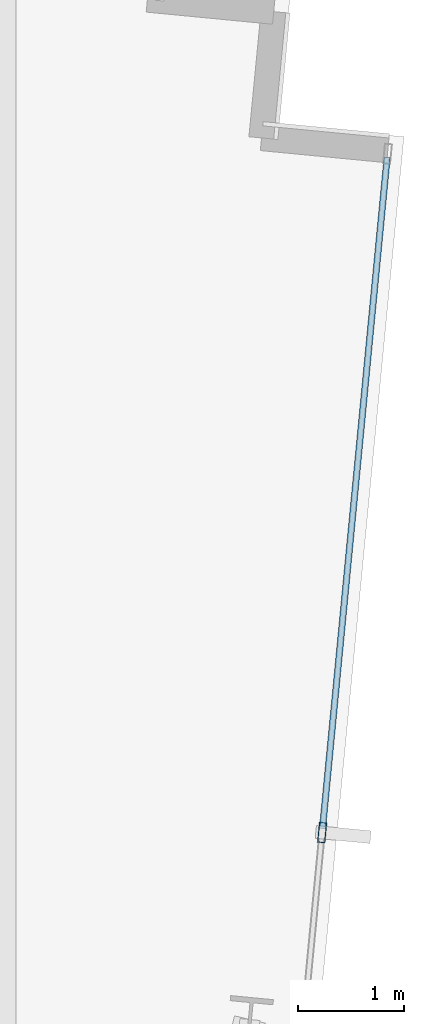
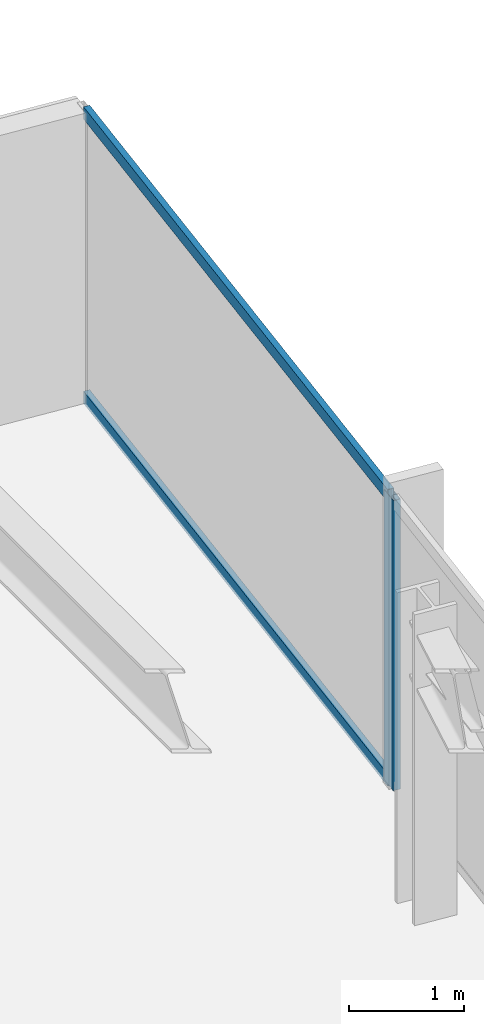
# One storey, part 20 of 38: 3 members, 1 element without a shape of its own.
"""IFC4 building model written with IfcOpenShell, lengths in metres."""

import ifcopenshell
import ifcopenshell.guid

model = None  # the IFC model being written
_history = None  # IfcOwnerHistory: only IFC2X3 demands one
_inside = {}  # id of a spatial element -> (the spatial element, [elements in it])
_under = {}  # id of a project, library or spatial element -> (it, [spatial elements below it])
_declared = {}  # id of a project -> (the project, [libraries it declares])
_typed = {}  # id of a type object -> (the type object, [elements of that type])
_made_of = {}  # id of a material, layer set ... -> (it, [elements and type objects made of it])


def new_model(schema):
    """Start an empty IFC model of exactly this schema.

    Asked for "IFC4X3", IfcOpenShell would pick the latest addendum, in which some entities
    have other attributes; the version numbers below select the first issue.
    IFC2X3 requires an IfcOwnerHistory on every rooted entity: one is made here for all.
    """
    global model, _history
    if schema == "IFC4X3":
        model = ifcopenshell.file(schema_version=(4, 3, 0, 0))
    else:
        model = ifcopenshell.file(schema=schema)
    _inside.clear()
    _under.clear()
    _declared.clear()
    _typed.clear()
    _made_of.clear()
    _history = None
    if model.schema == "IFC2X3":
        org = make("IfcOrganization", Name="unknown")
        user = make(
            "IfcPersonAndOrganization",
            ThePerson=make("IfcPerson", FamilyName="unknown"),
            TheOrganization=org,
        )
        app = make(
            "IfcApplication",
            ApplicationDeveloper=org,
            Version="unknown",
            ApplicationFullName="unknown",
            ApplicationIdentifier="unknown",
        )
        _history = make(
            "IfcOwnerHistory",
            OwningUser=user,
            OwningApplication=app,
            ChangeAction="ADDED",
            CreationDate=0,
        )
    return model


def make(cls, **values):
    """One entity of the class cls with the attributes given. An attribute that is None is left unset."""
    return model.create_entity(
        cls, **{name: value for name, value in values.items() if value is not None}
    )


def rooted(cls, **values):
    """An entity with a GlobalId (a new one), such as an element, a storey or a relation."""
    return make(cls, GlobalId=ifcopenshell.guid.new(), OwnerHistory=_history, **values)


def si_unit(unit_type, name, prefix=None):
    """IfcSIUnit, for example si_unit("LENGTHUNIT", "METRE", prefix="MILLI")."""
    return make("IfcSIUnit", UnitType=unit_type, Prefix=prefix, Name=name)


def assignment(units):
    """IfcUnitAssignment: the units of a project."""
    return None if units is None else make("IfcUnitAssignment", Units=units)


def point(xyz):
    """IfcCartesianPoint."""
    return None if xyz is None else make("IfcCartesianPoint", Coordinates=xyz)


def direction(xyz):
    """IfcDirection."""
    return None if xyz is None else make("IfcDirection", DirectionRatios=xyz)


def frame(location, z_axis=None, x_axis=None):
    """IfcAxis2Placement3D, a coordinate frame: its origin and axes. An axis left out is left unset."""
    return make(
        "IfcAxis2Placement3D",
        Location=point(location),
        Axis=direction(z_axis),
        RefDirection=direction(x_axis),
    )


def frame_2d(location, x_axis=None):
    """IfcAxis2Placement2D, a coordinate frame in the plane: its origin and x axis."""
    return make(
        "IfcAxis2Placement2D", Location=point(location), RefDirection=direction(x_axis)
    )


def origin():
    """The frame at (0, 0, 0) with its axes left unset."""
    return frame((0.0, 0.0, 0.0))


def origin_2d():
    """The frame at (0, 0) in the plane with its x axis left unset."""
    return frame_2d((0.0, 0.0))


def place(relative_to, where):
    """IfcLocalPlacement: puts the frame where relative to a parent placement (None: the world)."""
    return make(
        "IfcLocalPlacement", PlacementRelTo=relative_to, RelativePlacement=where
    )


def context(
    kind, dimensions, precision=None, world=None, true_north=None, identifier=None
):
    """IfcGeometricRepresentationContext, for example the 3D "Model" context."""
    return make(
        "IfcGeometricRepresentationContext",
        ContextIdentifier=identifier,
        ContextType=kind,
        CoordinateSpaceDimension=dimensions,
        Precision=precision,
        WorldCoordinateSystem=world,
        TrueNorth=true_north,
    )


def subcontext(parent, identifier, kind, view, scale=None):
    """IfcGeometricRepresentationSubContext, for example "Body" below "Model"."""
    return make(
        "IfcGeometricRepresentationSubContext",
        ContextIdentifier=identifier,
        ContextType=kind,
        ParentContext=parent,
        TargetScale=scale,
        TargetView=view,
    )


def project(units=None, contexts=None):
    """IfcProject with its units and contexts."""
    return rooted(
        "IfcProject",
        Name="project",
        RepresentationContexts=contexts,
        UnitsInContext=assignment(units),
    )


def spatial(cls, under=None, at=None, **own):
    """A site, building, storey or space (cls), placed at a placement, below another one or the project."""
    s = rooted(cls, ObjectPlacement=at, **own)
    if under is not None:
        _under.setdefault(under.id(), (under, []))[1].append(s)
    return s


def profile(cls, at=None, kind="AREA", **sizes):
    """A parametric profile (cls). Its sizes go by their IFC names, for example OverallWidth=200.0."""
    return make(cls, ProfileType=kind, Position=at, **sizes)


def hollow_rectangle(**sizes):
    """IfcRectangleHollowProfileDef."""
    return profile("IfcRectangleHollowProfileDef", **sizes)


def extrude(swept, where, along, depth):
    """IfcExtrudedAreaSolid: the profile swept, set in the frame where, extruded along a direction by depth."""
    return make(
        "IfcExtrudedAreaSolid",
        SweptArea=swept,
        Position=where,
        ExtrudedDirection=direction(along),
        Depth=depth,
    )


def shape(context_of_items, identifier, shape_type, items):
    """IfcShapeRepresentation: the items that make up one representation, for example the "Body"."""
    return make(
        "IfcShapeRepresentation",
        ContextOfItems=context_of_items,
        RepresentationIdentifier=identifier,
        RepresentationType=shape_type,
        Items=items,
    )


def material(Name=None, Category=None):
    """IfcMaterial."""
    return make("IfcMaterial", Name=Name, Category=Category)


def material_profile(
    of_material, cross_section, Name=None, Category=None, Priority=None
):
    """IfcMaterialProfile: a cross section and its material."""
    return make(
        "IfcMaterialProfile",
        Name=Name,
        Material=of_material,
        Profile=cross_section,
        Priority=Priority,
        Category=Category,
    )


def profile_set(profiles, Name=None, composite=None):
    """IfcMaterialProfileSet."""
    return make(
        "IfcMaterialProfileSet",
        Name=Name,
        MaterialProfiles=profiles,
        CompositeProfile=composite,
    )


def made_of(thing, what):
    """Note that an element or type object is made of a material, layer set ...; save() writes the relation."""
    if what is not None:
        _made_of.setdefault(what.id(), (what, []))[1].append(thing)
    return thing


def type_object(cls, material=None, **own):
    """A type object (cls), such as IfcWallType, which elements share."""
    return made_of(rooted(cls, **own), material)


def element(
    cls,
    number,
    at=None,
    inside=None,
    cuts=None,
    type_object=None,
    material=None,
    context=None,
    identifier="Body",
    shape_type=None,
    held_by="IfcProductDefinitionShape",
    body=None,
    shapes=None,
    **own,
):
    """One element of the class cls, such as IfcWall. Its Tag is "e" and its number.

    at: its placement. inside: the storey or other place that contains it. cuts: it is an
    opening in that element (IfcRelVoidsElement). A single representation is given by context,
    identifier, shape_type and body (its items); several are given by shapes. held_by: the class
    of the entity that holds the representations. save() writes the other relations.
    """
    e = rooted(cls, Tag="e%d" % number, ObjectPlacement=at, **own)
    if body is not None:
        shapes = [shape(context, identifier, shape_type, body)]
    if shapes is not None:
        e.Representation = make(held_by, Representations=shapes)
    if inside is not None:
        _inside.setdefault(inside.id(), (inside, []))[1].append(e)
    if cuts is not None:
        rooted(
            "IfcRelVoidsElement", RelatingBuildingElement=cuts, RelatedOpeningElement=e
        )
    if type_object is not None:
        _typed.setdefault(type_object.id(), (type_object, []))[1].append(e)
    return made_of(e, material)


def aggregate(whole, parts):
    """IfcRelAggregates: a whole, such as a stair, and the parts it consists of."""
    return rooted("IfcRelAggregates", RelatingObject=whole, RelatedObjects=parts)


def save(model, path):
    """Write the relations noted so far, then the file.

    IfcRelAggregates (storeys below a building ...), IfcRelContainedInSpatialStructure (elements
    in a storey), IfcRelDefinesByType, IfcRelAssociatesMaterial and IfcRelDeclares: one each for
    every whole, place, type object, material and project.
    """
    for whole, parts in _under.values():
        aggregate(whole, parts)
    for where, things in _inside.values():
        rooted(
            "IfcRelContainedInSpatialStructure",
            RelatedElements=things,
            RelatingStructure=where,
        )
    for kind, things in _typed.values():
        rooted("IfcRelDefinesByType", RelatedObjects=things, RelatingType=kind)
    for what, things in _made_of.values():
        rooted("IfcRelAssociatesMaterial", RelatedObjects=things, RelatingMaterial=what)
    for by, libraries in _declared.values():
        rooted("IfcRelDeclares", RelatingContext=by, RelatedDefinitions=libraries)
    model.write(path)


model = new_model("IFC4")

# Units and contexts
model_context = context("Model", 3, precision=1e-05, world=origin(), true_north=direction((0.0, 1.0)))
body_context = subcontext(model_context, "Body", "Model", "MODEL_VIEW")
ifc_project = project(units=[si_unit("LENGTHUNIT", "METRE"), si_unit("AREAUNIT", "SQUARE_METRE"), si_unit("VOLUMEUNIT", "CUBIC_METRE"), si_unit("PLANEANGLEUNIT", "RADIAN"), si_unit("MASSUNIT", "GRAM", prefix="KILO")], contexts=[model_context])

# Site, building, storey
site_placement = place(None, origin())
site = spatial("IfcSite", under=ifc_project, at=site_placement, CompositionType="ELEMENT")
building_placement = place(site_placement, origin())
building = spatial("IfcBuilding", under=site, at=building_placement, Name="Yelkora Congress Tower", CompositionType="ELEMENT")
storey_placement = place(building_placement, frame((0.0, 0.0, 185.300048828125)))
storey = spatial("IfcBuildingStorey", under=building, at=storey_placement, Name="L51", CompositionType="ELEMENT", Elevation=185.300048828125)

# Curtain wall, members
ifc_material_1 = material(Name="Anodised aluminium and insulated glass", Category="aluminium")
curtain_wall_type = type_object("IfcCurtainWallType", Name="CW-SYS-B3", PredefinedType="NOTDEFINED", material=ifc_material_1)
curtain_wall_placement = place(storey_placement, origin())
curtain_wall = element("IfcCurtainWall", 1, at=curtain_wall_placement, inside=storey, type_object=curtain_wall_type, Name="L51 Unitised Curtain Wall 15", PredefinedType="NOTDEFINED")
ifc_material_2 = material(Name="Anodised aluminium 6063-T6", Category="aluminium")
ifc_material_profile_1 = material_profile(ifc_material_2, hollow_rectangle(XDim=0.070068359375, YDim=0.18994140625, WallThickness=0.00390625, at=origin_2d()), Name="ALU 70x190x4")
ifc_profile_set_1 = profile_set([ifc_material_profile_1], Name="Anodised aluminium 6063-T6")
member_type_1 = type_object("IfcMemberType", Name="MEM-ML-B3", PredefinedType="MULLION", material=ifc_profile_set_1)
member_1_placement = place(storey_placement, frame((60.646240234375, 36.849853515625, 0.0), z_axis=(0.0, 0.0, 1.0), x_axis=(0.995396565076, -0.095841944023, 0.0)))
member_1 = element("IfcMember", 2, at=member_1_placement, type_object=member_type_1, Name="CW-B3 mullion 2", PredefinedType="MULLION", context=body_context, shape_type="SweptSolid", body=[
    extrude(hollow_rectangle(XDim=0.070068359375, YDim=0.18994140625, WallThickness=0.00390625, at=origin_2d()), origin(), (0.0, 0.0, 1.0), 3.079833984375),
])
ifc_material_profile_2 = material_profile(ifc_material_2, hollow_rectangle(XDim=0.06005859375, YDim=0.1298828125, WallThickness=0.00390625, at=origin_2d()), Name="ALU 60x130x4")
ifc_profile_set_2 = profile_set([ifc_material_profile_2], Name="Anodised aluminium 6063-T6")
member_type_2 = type_object("IfcMemberType", Name="MEM-TR-B3", PredefinedType="USERDEFINED", material=ifc_profile_set_2)
member_2_placement = place(storey_placement, frame((61.260986328125, 43.234375, 0.030029296875), z_axis=(-0.095872844558, -0.995393589329, 0.0), x_axis=(0.995393589329, -0.095872844558, 0.0)))
member_2 = element("IfcMember", 3, at=member_2_placement, type_object=member_type_2, Name="CW-B3 transom 1.1", ObjectType="TRANSOM", PredefinedType="USERDEFINED", context=body_context, shape_type="SweptSolid", body=[
    extrude(hollow_rectangle(XDim=0.06005859375, YDim=0.1298828125, WallThickness=0.00390625, at=origin_2d()), origin(), (0.0, 0.0, 1.0), 6.37890625),
])
member_3_placement = place(storey_placement, frame((61.260986328125, 43.234375, 3.050048828125), z_axis=(-0.095872844558, -0.995393589329, 0.0), x_axis=(0.995393589329, -0.095872844558, 0.0)))
member_3 = element("IfcMember", 4, at=member_3_placement, type_object=member_type_2, Name="CW-B3 transom 1.2", ObjectType="TRANSOM", PredefinedType="USERDEFINED", context=body_context, shape_type="SweptSolid", body=[
    extrude(hollow_rectangle(XDim=0.06005859375, YDim=0.1298828125, WallThickness=0.00390625, at=origin_2d()), origin(), (0.0, 0.0, 1.0), 6.37890625),
])
aggregate(curtain_wall, [member_1, member_2, member_3])

save(model, "model.ifc")
